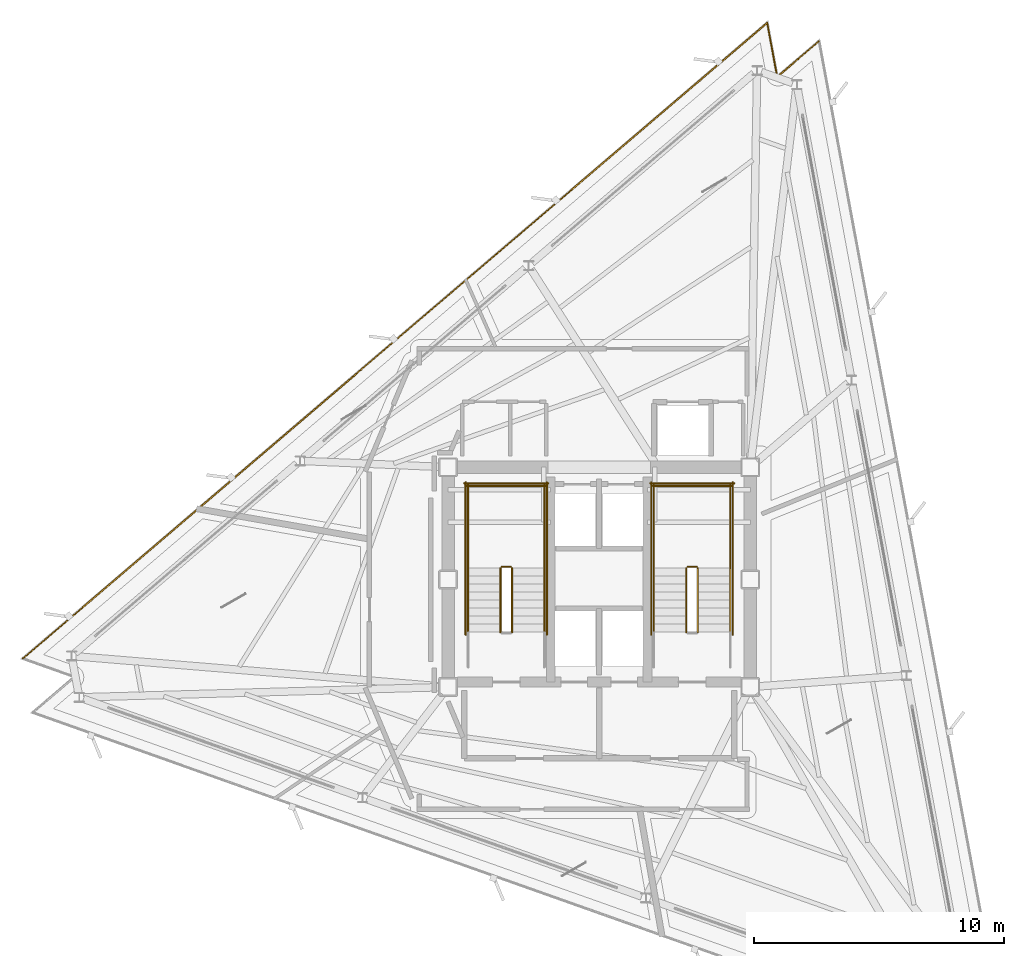
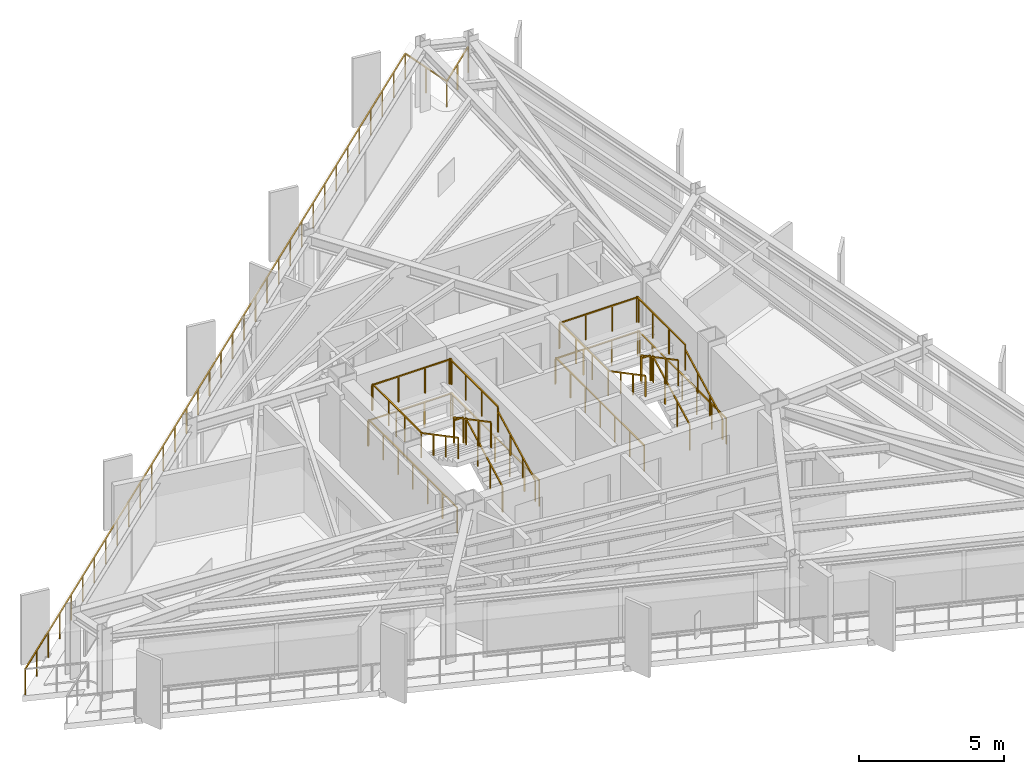
# One storey, part 13 of 14: 23 railings.
"""IFC4 building model written with IfcOpenShell, lengths in metres."""

import ifcopenshell
import ifcopenshell.guid

model = None  # the IFC model being written
_history = None  # IfcOwnerHistory: only IFC2X3 demands one
_inside = {}  # id of a spatial element -> (the spatial element, [elements in it])
_under = {}  # id of a project, library or spatial element -> (it, [spatial elements below it])
_declared = {}  # id of a project -> (the project, [libraries it declares])
_typed = {}  # id of a type object -> (the type object, [elements of that type])
_made_of = {}  # id of a material, layer set ... -> (it, [elements and type objects made of it])


def new_model(schema):
    """Start an empty IFC model of exactly this schema.

    Asked for "IFC4X3", IfcOpenShell would pick the latest addendum, in which some entities
    have other attributes; the version numbers below select the first issue.
    IFC2X3 requires an IfcOwnerHistory on every rooted entity: one is made here for all.
    """
    global model, _history
    if schema == "IFC4X3":
        model = ifcopenshell.file(schema_version=(4, 3, 0, 0))
    else:
        model = ifcopenshell.file(schema=schema)
    _inside.clear()
    _under.clear()
    _declared.clear()
    _typed.clear()
    _made_of.clear()
    _history = None
    if model.schema == "IFC2X3":
        org = make("IfcOrganization", Name="unknown")
        user = make(
            "IfcPersonAndOrganization",
            ThePerson=make("IfcPerson", FamilyName="unknown"),
            TheOrganization=org,
        )
        app = make(
            "IfcApplication",
            ApplicationDeveloper=org,
            Version="unknown",
            ApplicationFullName="unknown",
            ApplicationIdentifier="unknown",
        )
        _history = make(
            "IfcOwnerHistory",
            OwningUser=user,
            OwningApplication=app,
            ChangeAction="ADDED",
            CreationDate=0,
        )
    return model


def make(cls, **values):
    """One entity of the class cls with the attributes given. An attribute that is None is left unset."""
    return model.create_entity(
        cls, **{name: value for name, value in values.items() if value is not None}
    )


def rooted(cls, **values):
    """An entity with a GlobalId (a new one), such as an element, a storey or a relation."""
    return make(cls, GlobalId=ifcopenshell.guid.new(), OwnerHistory=_history, **values)


def si_unit(unit_type, name, prefix=None):
    """IfcSIUnit, for example si_unit("LENGTHUNIT", "METRE", prefix="MILLI")."""
    return make("IfcSIUnit", UnitType=unit_type, Prefix=prefix, Name=name)


def assignment(units):
    """IfcUnitAssignment: the units of a project."""
    return None if units is None else make("IfcUnitAssignment", Units=units)


def point(xyz):
    """IfcCartesianPoint."""
    return None if xyz is None else make("IfcCartesianPoint", Coordinates=xyz)


def direction(xyz):
    """IfcDirection."""
    return None if xyz is None else make("IfcDirection", DirectionRatios=xyz)


def frame(location, z_axis=None, x_axis=None):
    """IfcAxis2Placement3D, a coordinate frame: its origin and axes. An axis left out is left unset."""
    return make(
        "IfcAxis2Placement3D",
        Location=point(location),
        Axis=direction(z_axis),
        RefDirection=direction(x_axis),
    )


def frame_2d(location, x_axis=None):
    """IfcAxis2Placement2D, a coordinate frame in the plane: its origin and x axis."""
    return make(
        "IfcAxis2Placement2D", Location=point(location), RefDirection=direction(x_axis)
    )


def origin():
    """The frame at (0, 0, 0) with its axes left unset."""
    return frame((0.0, 0.0, 0.0))


def origin_2d():
    """The frame at (0, 0) in the plane with its x axis left unset."""
    return frame_2d((0.0, 0.0))


def place(relative_to, where):
    """IfcLocalPlacement: puts the frame where relative to a parent placement (None: the world)."""
    return make(
        "IfcLocalPlacement", PlacementRelTo=relative_to, RelativePlacement=where
    )


def context(
    kind, dimensions, precision=None, world=None, true_north=None, identifier=None
):
    """IfcGeometricRepresentationContext, for example the 3D "Model" context."""
    return make(
        "IfcGeometricRepresentationContext",
        ContextIdentifier=identifier,
        ContextType=kind,
        CoordinateSpaceDimension=dimensions,
        Precision=precision,
        WorldCoordinateSystem=world,
        TrueNorth=true_north,
    )


def subcontext(parent, identifier, kind, view, scale=None):
    """IfcGeometricRepresentationSubContext, for example "Body" below "Model"."""
    return make(
        "IfcGeometricRepresentationSubContext",
        ContextIdentifier=identifier,
        ContextType=kind,
        ParentContext=parent,
        TargetScale=scale,
        TargetView=view,
    )


def project(units=None, contexts=None):
    """IfcProject with its units and contexts."""
    return rooted(
        "IfcProject",
        Name="project",
        RepresentationContexts=contexts,
        UnitsInContext=assignment(units),
    )


def spatial(cls, under=None, at=None, **own):
    """A site, building, storey or space (cls), placed at a placement, below another one or the project."""
    s = rooted(cls, ObjectPlacement=at, **own)
    if under is not None:
        _under.setdefault(under.id(), (under, []))[1].append(s)
    return s


def profile(cls, at=None, kind="AREA", **sizes):
    """A parametric profile (cls). Its sizes go by their IFC names, for example OverallWidth=200.0."""
    return make(cls, ProfileType=kind, Position=at, **sizes)


def rectangle(**sizes):
    """IfcRectangleProfileDef."""
    return profile("IfcRectangleProfileDef", **sizes)


def extrude(swept, where, along, depth):
    """IfcExtrudedAreaSolid: the profile swept, set in the frame where, extruded along a direction by depth."""
    return make(
        "IfcExtrudedAreaSolid",
        SweptArea=swept,
        Position=where,
        ExtrudedDirection=direction(along),
        Depth=depth,
    )


def shape(context_of_items, identifier, shape_type, items):
    """IfcShapeRepresentation: the items that make up one representation, for example the "Body"."""
    return make(
        "IfcShapeRepresentation",
        ContextOfItems=context_of_items,
        RepresentationIdentifier=identifier,
        RepresentationType=shape_type,
        Items=items,
    )


def material(Name=None, Category=None):
    """IfcMaterial."""
    return make("IfcMaterial", Name=Name, Category=Category)


def layer(
    of_material, thickness, ventilated=None, Name=None, Category=None, Priority=None
):
    """IfcMaterialLayer: one layer of a wall or slab, of a material (None: an air gap)."""
    return make(
        "IfcMaterialLayer",
        Material=of_material,
        LayerThickness=thickness,
        IsVentilated=ventilated,
        Name=Name,
        Category=Category,
        Priority=Priority,
    )


def layer_set(layers, Name=None):
    """IfcMaterialLayerSet."""
    return make("IfcMaterialLayerSet", MaterialLayers=layers, LayerSetName=Name)


def made_of(thing, what):
    """Note that an element or type object is made of a material, layer set ...; save() writes the relation."""
    if what is not None:
        _made_of.setdefault(what.id(), (what, []))[1].append(thing)
    return thing


def type_object(cls, material=None, **own):
    """A type object (cls), such as IfcWallType, which elements share."""
    return made_of(rooted(cls, **own), material)


def element(
    cls,
    number,
    at=None,
    inside=None,
    cuts=None,
    type_object=None,
    material=None,
    context=None,
    identifier="Body",
    shape_type=None,
    held_by="IfcProductDefinitionShape",
    body=None,
    shapes=None,
    **own,
):
    """One element of the class cls, such as IfcWall. Its Tag is "e" and its number.

    at: its placement. inside: the storey or other place that contains it. cuts: it is an
    opening in that element (IfcRelVoidsElement). A single representation is given by context,
    identifier, shape_type and body (its items); several are given by shapes. held_by: the class
    of the entity that holds the representations. save() writes the other relations.
    """
    e = rooted(cls, Tag="e%d" % number, ObjectPlacement=at, **own)
    if body is not None:
        shapes = [shape(context, identifier, shape_type, body)]
    if shapes is not None:
        e.Representation = make(held_by, Representations=shapes)
    if inside is not None:
        _inside.setdefault(inside.id(), (inside, []))[1].append(e)
    if cuts is not None:
        rooted(
            "IfcRelVoidsElement", RelatingBuildingElement=cuts, RelatedOpeningElement=e
        )
    if type_object is not None:
        _typed.setdefault(type_object.id(), (type_object, []))[1].append(e)
    return made_of(e, material)


def aggregate(whole, parts):
    """IfcRelAggregates: a whole, such as a stair, and the parts it consists of."""
    return rooted("IfcRelAggregates", RelatingObject=whole, RelatedObjects=parts)


def save(model, path):
    """Write the relations noted so far, then the file.

    IfcRelAggregates (storeys below a building ...), IfcRelContainedInSpatialStructure (elements
    in a storey), IfcRelDefinesByType, IfcRelAssociatesMaterial and IfcRelDeclares: one each for
    every whole, place, type object, material and project.
    """
    for whole, parts in _under.values():
        aggregate(whole, parts)
    for where, things in _inside.values():
        rooted(
            "IfcRelContainedInSpatialStructure",
            RelatedElements=things,
            RelatingStructure=where,
        )
    for kind, things in _typed.values():
        rooted("IfcRelDefinesByType", RelatedObjects=things, RelatingType=kind)
    for what, things in _made_of.values():
        rooted("IfcRelAssociatesMaterial", RelatedObjects=things, RelatingMaterial=what)
    for by, libraries in _declared.values():
        rooted("IfcRelDeclares", RelatingContext=by, RelatedDefinitions=libraries)
    model.write(path)


model = new_model("IFC4")

# Units and contexts
model_context = context("Model", 3, precision=1e-05, world=origin(), true_north=direction((0.0, 1.0)))
body_context = subcontext(model_context, "Body", "Model", "MODEL_VIEW")
ifc_project = project(units=[si_unit("LENGTHUNIT", "METRE"), si_unit("AREAUNIT", "SQUARE_METRE"), si_unit("VOLUMEUNIT", "CUBIC_METRE"), si_unit("PLANEANGLEUNIT", "RADIAN"), si_unit("MASSUNIT", "GRAM", prefix="KILO")], contexts=[model_context])

# Site, building, storey
site_placement = place(None, origin())
site = spatial("IfcSite", under=ifc_project, at=site_placement, CompositionType="ELEMENT")
building_placement = place(site_placement, origin())
building = spatial("IfcBuilding", under=site, at=building_placement, Name="Rocaltana Carrier Exchange", CompositionType="ELEMENT")
storey_placement = place(building_placement, frame((0.0, 0.0, 187.52001953125)))
storey = spatial("IfcBuildingStorey", under=building, at=storey_placement, Name="L59", CompositionType="ELEMENT", Elevation=187.52001953125)

# Railings
ifc_material_1 = material(Name="Brushed Architectural Stainless Tube", Category="steel")
ifc_layer_1 = layer(ifc_material_1, 0.048095703125)
ifc_layer_set_1 = layer_set([ifc_layer_1], Name="Brushed Architectural Stainless Tube")
railing_type_1 = type_object("IfcRailingType", Name="Stair Wall Handrail 920", PredefinedType="HANDRAIL", material=ifc_layer_set_1)
railing_1_placement = place(storey_placement, frame((-2.18994140625, -2.10009765625, 0.1689453125)))
element("IfcRailing", 1, at=railing_1_placement, inside=storey, type_object=railing_type_1, Name="L59 ST-1 stair handrail 1", PredefinedType="HANDRAIL", context=body_context, shape_type="SweptSolid", body=[
    extrude(rectangle(XDim=0.048095703125, YDim=0.048095703125, at=origin_2d()), frame((0.0, 0.0, 0.8759765625), z_axis=(0.0, 0.884394423565, 0.466740295633), x_axis=(-1.0, 0.0, 0.0)), (0.0, 0.0, 1.0), 2.894775390625),
    extrude(rectangle(XDim=0.0419921875, YDim=0.0419921875, at=origin_2d()), origin(), (0.0, 0.0, 1.0), 0.851806640625),
    extrude(rectangle(XDim=0.0419921875, YDim=0.0419921875, at=origin_2d()), frame((0.0, 0.853271484375, 0.450439453125)), (0.0, 0.0, 1.0), 0.851806640625),
    extrude(rectangle(XDim=0.0419921875, YDim=0.0419921875, at=origin_2d()), frame((0.0, 1.706787109375, 0.900634765625)), (0.0, 0.0, 1.0), 0.851806640625),
    extrude(rectangle(XDim=0.0419921875, YDim=0.0419921875, at=origin_2d()), frame((0.0, 2.56005859375, 1.35107421875)), (0.0, 0.0, 1.0), 0.851806640625),
])
railing_2_placement = place(storey_placement, frame((-5.25, 0.4599609375, 1.68896484375)))
element("IfcRailing", 2, at=railing_2_placement, inside=storey, type_object=railing_type_1, Name="L59 ST-1 stair handrail 2", PredefinedType="HANDRAIL", context=body_context, shape_type="SweptSolid", body=[
    extrude(rectangle(XDim=0.048095703125, YDim=0.048095703125, at=origin_2d()), frame((0.0, 0.0, 0.8759765625), z_axis=(0.0, -0.884394423565, 0.466740295633), x_axis=(1.0, 0.0, 0.0)), (0.0, 0.0, 1.0), 2.894775390625),
    extrude(rectangle(XDim=0.0419921875, YDim=0.0419921875, at=origin_2d()), origin(), (0.0, 0.0, 1.0), 0.851806640625),
    extrude(rectangle(XDim=0.0419921875, YDim=0.0419921875, at=origin_2d()), frame((0.0, -0.853271484375, 0.450439453125)), (0.0, 0.0, 1.0), 0.851806640625),
    extrude(rectangle(XDim=0.0419921875, YDim=0.0419921875, at=origin_2d()), frame((0.0, -1.706787109375, 0.900634765625)), (0.0, 0.0, 1.0), 0.851806640625),
    extrude(rectangle(XDim=0.0419921875, YDim=0.0419921875, at=origin_2d()), frame((0.0, -2.56005859375, 1.35107421875)), (0.0, 0.0, 1.0), 0.851806640625),
])
railing_3_placement = place(storey_placement, frame((5.25, -2.10009765625, 0.1689453125)))
element("IfcRailing", 3, at=railing_3_placement, inside=storey, type_object=railing_type_1, Name="L59 ST-2 stair handrail 1", PredefinedType="HANDRAIL", context=body_context, shape_type="SweptSolid", body=[
    extrude(rectangle(XDim=0.048095703125, YDim=0.048095703125, at=origin_2d()), frame((0.0, 0.0, 0.8759765625), z_axis=(0.0, 0.884394423565, 0.466740295633), x_axis=(-1.0, 0.0, 0.0)), (0.0, 0.0, 1.0), 2.894775390625),
    extrude(rectangle(XDim=0.0419921875, YDim=0.0419921875, at=origin_2d()), origin(), (0.0, 0.0, 1.0), 0.851806640625),
    extrude(rectangle(XDim=0.0419921875, YDim=0.0419921875, at=origin_2d()), frame((0.0, 0.853271484375, 0.450439453125)), (0.0, 0.0, 1.0), 0.851806640625),
    extrude(rectangle(XDim=0.0419921875, YDim=0.0419921875, at=origin_2d()), frame((0.0, 1.706787109375, 0.900634765625)), (0.0, 0.0, 1.0), 0.851806640625),
    extrude(rectangle(XDim=0.0419921875, YDim=0.0419921875, at=origin_2d()), frame((0.0, 2.56005859375, 1.35107421875)), (0.0, 0.0, 1.0), 0.851806640625),
])
railing_4_placement = place(storey_placement, frame((2.18994140625, 0.4599609375, 1.68896484375)))
element("IfcRailing", 4, at=railing_4_placement, inside=storey, type_object=railing_type_1, Name="L59 ST-2 stair handrail 2", PredefinedType="HANDRAIL", context=body_context, shape_type="SweptSolid", body=[
    extrude(rectangle(XDim=0.048095703125, YDim=0.048095703125, at=origin_2d()), frame((0.0, 0.0, 0.8759765625), z_axis=(0.0, -0.884394423565, 0.466740295633), x_axis=(1.0, 0.0, 0.0)), (0.0, 0.0, 1.0), 2.894775390625),
    extrude(rectangle(XDim=0.0419921875, YDim=0.0419921875, at=origin_2d()), origin(), (0.0, 0.0, 1.0), 0.851806640625),
    extrude(rectangle(XDim=0.0419921875, YDim=0.0419921875, at=origin_2d()), frame((0.0, -0.853271484375, 0.450439453125)), (0.0, 0.0, 1.0), 0.851806640625),
    extrude(rectangle(XDim=0.0419921875, YDim=0.0419921875, at=origin_2d()), frame((0.0, -1.706787109375, 0.900634765625)), (0.0, 0.0, 1.0), 0.851806640625),
    extrude(rectangle(XDim=0.0419921875, YDim=0.0419921875, at=origin_2d()), frame((0.0, -2.56005859375, 1.35107421875)), (0.0, 0.0, 1.0), 0.851806640625),
])
ifc_material_2 = material(Name="Powder-Coated Aluminium 6063-T6", Category="aluminium")
ifc_layer_2 = layer(ifc_material_2, 0.048095703125)
ifc_layer_set_2 = layer_set([ifc_layer_2], Name="Powder-Coated Aluminium 6063-T6")
railing_type_2 = type_object("IfcRailingType", Name="Stair Well Guardrail 1100", PredefinedType="GUARDRAIL", material=ifc_layer_set_2)
railing_5_placement = place(storey_placement, frame((-3.489990234375, -2.10009765625, 0.1689453125)))
element("IfcRailing", 5, at=railing_5_placement, inside=storey, type_object=railing_type_2, Name="L59 ST-1 stair guard 1", PredefinedType="GUARDRAIL", context=body_context, shape_type="SweptSolid", body=[
    extrude(rectangle(XDim=0.048095703125, YDim=0.048095703125, at=origin_2d()), frame((0.0, 0.0, 1.076171875), z_axis=(0.0, 0.884394423565, 0.466740295633), x_axis=(-1.0, 0.0, 0.0)), (0.0, 0.0, 1.0), 2.894775390625),
    extrude(rectangle(XDim=0.0419921875, YDim=0.0419921875, at=origin_2d()), origin(), (0.0, 0.0, 1.0), 1.052001953125),
    extrude(rectangle(XDim=0.0419921875, YDim=0.0419921875, at=origin_2d()), frame((0.0, 0.853271484375, 0.450439453125)), (0.0, 0.0, 1.0), 1.052001953125),
    extrude(rectangle(XDim=0.0419921875, YDim=0.0419921875, at=origin_2d()), frame((0.0, 1.706787109375, 0.900634765625)), (0.0, 0.0, 1.0), 1.052001953125),
    extrude(rectangle(XDim=0.0419921875, YDim=0.0419921875, at=origin_2d()), frame((0.0, 2.56005859375, 1.35107421875)), (0.0, 0.0, 1.0), 1.052001953125),
])
railing_6_placement = place(storey_placement, frame((-3.5400390625, 0.510009765625, 1.52001953125)))
element("IfcRailing", 6, at=railing_6_placement, inside=storey, type_object=railing_type_2, Name="L59 ST-1 stair guard 2", PredefinedType="GUARDRAIL", context=body_context, shape_type="SweptSolid", body=[
    extrude(rectangle(XDim=0.048095703125, YDim=0.048095703125, at=origin_2d()), frame((0.0, 0.0, 1.076171875), z_axis=(-1.0, 0.0, 0.0), x_axis=(0.0, -1.0, 0.0)), (0.0, 0.0, 1.0), 0.35986328125),
    extrude(rectangle(XDim=0.0419921875, YDim=0.0419921875, at=origin_2d()), origin(), (0.0, 0.0, 1.0), 1.052001953125),
    extrude(rectangle(XDim=0.0419921875, YDim=0.0419921875, at=origin_2d()), frame((-0.35986328125, 0.0, 0.0)), (0.0, 0.0, 1.0), 1.052001953125),
])
for number, where, name in (
    (7, (-2.18994140625, 0.4599609375, 1.52001953125), "L59 ST-1 stair guard 3"),
    (8, (-5.25, 0.4599609375, 1.52001953125), "L59 ST-1 stair guard 4"),
):
    element("IfcRailing", number, at=place(storey_placement, frame(where)), inside=storey, type_object=railing_type_2, Name=name, PredefinedType="GUARDRAIL", context=body_context, shape_type="SweptSolid", body=[
        extrude(rectangle(XDim=0.048095703125, YDim=0.048095703125, at=origin_2d()), frame((0.0, 0.0, 1.076171875), z_axis=(0.0, 1.0, 0.0), x_axis=(-1.0, 0.0, 0.0)), (0.0, 0.0, 1.0), 3.340087890625),
        extrude(rectangle(XDim=0.0419921875, YDim=0.0419921875, at=origin_2d()), origin(), (0.0, 0.0, 1.0), 1.052001953125),
        extrude(rectangle(XDim=0.0419921875, YDim=0.0419921875, at=origin_2d()), frame((0.0, 1.11328125, 0.0)), (0.0, 0.0, 1.0), 1.052001953125),
        extrude(rectangle(XDim=0.0419921875, YDim=0.0419921875, at=origin_2d()), frame((0.0, 2.226806640625, 0.0)), (0.0, 0.0, 1.0), 1.052001953125),
        extrude(rectangle(XDim=0.0419921875, YDim=0.0419921875, at=origin_2d()), frame((0.0, 3.340087890625, 0.0)), (0.0, 0.0, 1.0), 1.052001953125),
    ])
railing_7_placement = place(storey_placement, frame((-2.139892578125, 3.75, 1.52001953125)))
element("IfcRailing", 9, at=railing_7_placement, inside=storey, type_object=railing_type_2, Name="L59 ST-1 stair guard 5", PredefinedType="GUARDRAIL", context=body_context, shape_type="SweptSolid", body=[
    extrude(rectangle(XDim=0.048095703125, YDim=0.048095703125, at=origin_2d()), frame((0.0, 0.0, 1.076171875), z_axis=(-1.0, 0.0, 0.0), x_axis=(0.0, -1.0, 0.0)), (0.0, 0.0, 1.0), 3.16015625),
    extrude(rectangle(XDim=0.0419921875, YDim=0.0419921875, at=origin_2d()), origin(), (0.0, 0.0, 1.0), 1.052001953125),
    extrude(rectangle(XDim=0.0419921875, YDim=0.0419921875, at=origin_2d()), frame((-1.053466796875, 0.0, 0.0)), (0.0, 0.0, 1.0), 1.052001953125),
    extrude(rectangle(XDim=0.0419921875, YDim=0.0419921875, at=origin_2d()), frame((-2.106689453125, 0.0, 0.0)), (0.0, 0.0, 1.0), 1.052001953125),
    extrude(rectangle(XDim=0.0419921875, YDim=0.0419921875, at=origin_2d()), frame((-3.16015625, 0.0, 0.0)), (0.0, 0.0, 1.0), 1.052001953125),
])
railing_8_placement = place(storey_placement, frame((-3.949951171875, 0.4599609375, 1.68896484375)))
element("IfcRailing", 10, at=railing_8_placement, inside=storey, type_object=railing_type_2, Name="L59 ST-1 stair guard 6", PredefinedType="GUARDRAIL", context=body_context, shape_type="SweptSolid", body=[
    extrude(rectangle(XDim=0.048095703125, YDim=0.048095703125, at=origin_2d()), frame((0.0, 0.0, 1.076171875), z_axis=(0.0, -0.884394423565, 0.466740295633), x_axis=(1.0, 0.0, 0.0)), (0.0, 0.0, 1.0), 2.894775390625),
    extrude(rectangle(XDim=0.0419921875, YDim=0.0419921875, at=origin_2d()), origin(), (0.0, 0.0, 1.0), 1.052001953125),
    extrude(rectangle(XDim=0.0419921875, YDim=0.0419921875, at=origin_2d()), frame((0.0, -0.853271484375, 0.450439453125)), (0.0, 0.0, 1.0), 1.052001953125),
    extrude(rectangle(XDim=0.0419921875, YDim=0.0419921875, at=origin_2d()), frame((0.0, -1.706787109375, 0.900634765625)), (0.0, 0.0, 1.0), 1.052001953125),
    extrude(rectangle(XDim=0.0419921875, YDim=0.0419921875, at=origin_2d()), frame((0.0, -2.56005859375, 1.35107421875)), (0.0, 0.0, 1.0), 1.052001953125),
])
for number, where, name in (
    (11, (-2.090087890625, -2.199951171875, 0.0), "L59 ST-1 stair guard 10"),
    (12, (-5.35009765625, -2.199951171875, 0.0), "L59 ST-1 stair guard 11"),
):
    element("IfcRailing", number, at=place(storey_placement, frame(where)), inside=storey, type_object=railing_type_2, Name=name, PredefinedType="GUARDRAIL", context=body_context, shape_type="SweptSolid", body=[
        extrude(rectangle(XDim=0.048095703125, YDim=0.048095703125, at=origin_2d()), frame((0.0, 0.0, 1.076171875), z_axis=(0.0, 1.0, 0.0), x_axis=(-1.0, 0.0, 0.0)), (0.0, 0.0, 1.0), 6.099853515625),
        extrude(rectangle(XDim=0.0419921875, YDim=0.0419921875, at=origin_2d()), origin(), (0.0, 0.0, 1.0), 1.052001953125),
        extrude(rectangle(XDim=0.0419921875, YDim=0.0419921875, at=origin_2d()), frame((0.0, 1.0166015625, 0.0)), (0.0, 0.0, 1.0), 1.052001953125),
        extrude(rectangle(XDim=0.0419921875, YDim=0.0419921875, at=origin_2d()), frame((0.0, 2.033203125, 0.0)), (0.0, 0.0, 1.0), 1.052001953125),
        extrude(rectangle(XDim=0.0419921875, YDim=0.0419921875, at=origin_2d()), frame((0.0, 3.0498046875, 0.0)), (0.0, 0.0, 1.0), 1.052001953125),
        extrude(rectangle(XDim=0.0419921875, YDim=0.0419921875, at=origin_2d()), frame((0.0, 4.066650390625, 0.0)), (0.0, 0.0, 1.0), 1.052001953125),
        extrude(rectangle(XDim=0.0419921875, YDim=0.0419921875, at=origin_2d()), frame((0.0, 5.083251953125, 0.0)), (0.0, 0.0, 1.0), 1.052001953125),
        extrude(rectangle(XDim=0.0419921875, YDim=0.0419921875, at=origin_2d()), frame((0.0, 6.099853515625, 0.0)), (0.0, 0.0, 1.0), 1.052001953125),
    ])
railing_9_placement = place(storey_placement, frame((-2.0400390625, 3.85009765625, 0.0)))
element("IfcRailing", 13, at=railing_9_placement, inside=storey, type_object=railing_type_2, Name="L59 ST-1 stair guard 12", PredefinedType="GUARDRAIL", context=body_context, shape_type="SweptSolid", body=[
    extrude(rectangle(XDim=0.048095703125, YDim=0.048095703125, at=origin_2d()), frame((0.0, 0.0, 1.076171875), z_axis=(-1.0, 0.0, 0.0), x_axis=(0.0, -1.0, 0.0)), (0.0, 0.0, 1.0), 3.35986328125),
    extrude(rectangle(XDim=0.0419921875, YDim=0.0419921875, at=origin_2d()), origin(), (0.0, 0.0, 1.0), 1.052001953125),
    extrude(rectangle(XDim=0.0419921875, YDim=0.0419921875, at=origin_2d()), frame((-1.119873046875, 0.0, 0.0)), (0.0, 0.0, 1.0), 1.052001953125),
    extrude(rectangle(XDim=0.0419921875, YDim=0.0419921875, at=origin_2d()), frame((-2.239990234375, 0.0, 0.0)), (0.0, 0.0, 1.0), 1.052001953125),
    extrude(rectangle(XDim=0.0419921875, YDim=0.0419921875, at=origin_2d()), frame((-3.35986328125, 0.0, 0.0)), (0.0, 0.0, 1.0), 1.052001953125),
])
railing_10_placement = place(storey_placement, frame((3.949951171875, -2.10009765625, 0.1689453125)))
element("IfcRailing", 14, at=railing_10_placement, inside=storey, type_object=railing_type_2, Name="L59 ST-2 stair guard 1", PredefinedType="GUARDRAIL", context=body_context, shape_type="SweptSolid", body=[
    extrude(rectangle(XDim=0.048095703125, YDim=0.048095703125, at=origin_2d()), frame((0.0, 0.0, 1.076171875), z_axis=(0.0, 0.884394423565, 0.466740295633), x_axis=(-1.0, 0.0, 0.0)), (0.0, 0.0, 1.0), 2.894775390625),
    extrude(rectangle(XDim=0.0419921875, YDim=0.0419921875, at=origin_2d()), origin(), (0.0, 0.0, 1.0), 1.052001953125),
    extrude(rectangle(XDim=0.0419921875, YDim=0.0419921875, at=origin_2d()), frame((0.0, 0.853271484375, 0.450439453125)), (0.0, 0.0, 1.0), 1.052001953125),
    extrude(rectangle(XDim=0.0419921875, YDim=0.0419921875, at=origin_2d()), frame((0.0, 1.706787109375, 0.900634765625)), (0.0, 0.0, 1.0), 1.052001953125),
    extrude(rectangle(XDim=0.0419921875, YDim=0.0419921875, at=origin_2d()), frame((0.0, 2.56005859375, 1.35107421875)), (0.0, 0.0, 1.0), 1.052001953125),
])
railing_11_placement = place(storey_placement, frame((3.89990234375, 0.510009765625, 1.52001953125)))
element("IfcRailing", 15, at=railing_11_placement, inside=storey, type_object=railing_type_2, Name="L59 ST-2 stair guard 2", PredefinedType="GUARDRAIL", context=body_context, shape_type="SweptSolid", body=[
    extrude(rectangle(XDim=0.048095703125, YDim=0.048095703125, at=origin_2d()), frame((0.0, 0.0, 1.076171875), z_axis=(-1.0, 0.0, 0.0), x_axis=(0.0, -1.0, 0.0)), (0.0, 0.0, 1.0), 0.35986328125),
    extrude(rectangle(XDim=0.0419921875, YDim=0.0419921875, at=origin_2d()), origin(), (0.0, 0.0, 1.0), 1.052001953125),
    extrude(rectangle(XDim=0.0419921875, YDim=0.0419921875, at=origin_2d()), frame((-0.35986328125, 0.0, 0.0)), (0.0, 0.0, 1.0), 1.052001953125),
])
for number, where, name in (
    (16, (5.25, 0.4599609375, 1.52001953125), "L59 ST-2 stair guard 3"),
    (17, (2.18994140625, 0.4599609375, 1.52001953125), "L59 ST-2 stair guard 4"),
):
    element("IfcRailing", number, at=place(storey_placement, frame(where)), inside=storey, type_object=railing_type_2, Name=name, PredefinedType="GUARDRAIL", context=body_context, shape_type="SweptSolid", body=[
        extrude(rectangle(XDim=0.048095703125, YDim=0.048095703125, at=origin_2d()), frame((0.0, 0.0, 1.076171875), z_axis=(0.0, 1.0, 0.0), x_axis=(-1.0, 0.0, 0.0)), (0.0, 0.0, 1.0), 3.340087890625),
        extrude(rectangle(XDim=0.0419921875, YDim=0.0419921875, at=origin_2d()), origin(), (0.0, 0.0, 1.0), 1.052001953125),
        extrude(rectangle(XDim=0.0419921875, YDim=0.0419921875, at=origin_2d()), frame((0.0, 1.11328125, 0.0)), (0.0, 0.0, 1.0), 1.052001953125),
        extrude(rectangle(XDim=0.0419921875, YDim=0.0419921875, at=origin_2d()), frame((0.0, 2.226806640625, 0.0)), (0.0, 0.0, 1.0), 1.052001953125),
        extrude(rectangle(XDim=0.0419921875, YDim=0.0419921875, at=origin_2d()), frame((0.0, 3.340087890625, 0.0)), (0.0, 0.0, 1.0), 1.052001953125),
    ])
railing_12_placement = place(storey_placement, frame((5.300048828125, 3.75, 1.52001953125)))
element("IfcRailing", 18, at=railing_12_placement, inside=storey, type_object=railing_type_2, Name="L59 ST-2 stair guard 5", PredefinedType="GUARDRAIL", context=body_context, shape_type="SweptSolid", body=[
    extrude(rectangle(XDim=0.048095703125, YDim=0.048095703125, at=origin_2d()), frame((0.0, 0.0, 1.076171875), z_axis=(-1.0, 0.0, 0.0), x_axis=(0.0, -1.0, 0.0)), (0.0, 0.0, 1.0), 3.16015625),
    extrude(rectangle(XDim=0.0419921875, YDim=0.0419921875, at=origin_2d()), origin(), (0.0, 0.0, 1.0), 1.052001953125),
    extrude(rectangle(XDim=0.0419921875, YDim=0.0419921875, at=origin_2d()), frame((-1.053466796875, 0.0, 0.0)), (0.0, 0.0, 1.0), 1.052001953125),
    extrude(rectangle(XDim=0.0419921875, YDim=0.0419921875, at=origin_2d()), frame((-2.106689453125, 0.0, 0.0)), (0.0, 0.0, 1.0), 1.052001953125),
    extrude(rectangle(XDim=0.0419921875, YDim=0.0419921875, at=origin_2d()), frame((-3.16015625, 0.0, 0.0)), (0.0, 0.0, 1.0), 1.052001953125),
])
railing_13_placement = place(storey_placement, frame((3.489990234375, 0.4599609375, 1.68896484375)))
element("IfcRailing", 19, at=railing_13_placement, inside=storey, type_object=railing_type_2, Name="L59 ST-2 stair guard 6", PredefinedType="GUARDRAIL", context=body_context, shape_type="SweptSolid", body=[
    extrude(rectangle(XDim=0.048095703125, YDim=0.048095703125, at=origin_2d()), frame((0.0, 0.0, 1.076171875), z_axis=(0.0, -0.884394423565, 0.466740295633), x_axis=(1.0, 0.0, 0.0)), (0.0, 0.0, 1.0), 2.894775390625),
    extrude(rectangle(XDim=0.0419921875, YDim=0.0419921875, at=origin_2d()), origin(), (0.0, 0.0, 1.0), 1.052001953125),
    extrude(rectangle(XDim=0.0419921875, YDim=0.0419921875, at=origin_2d()), frame((0.0, -0.853271484375, 0.450439453125)), (0.0, 0.0, 1.0), 1.052001953125),
    extrude(rectangle(XDim=0.0419921875, YDim=0.0419921875, at=origin_2d()), frame((0.0, -1.706787109375, 0.900634765625)), (0.0, 0.0, 1.0), 1.052001953125),
    extrude(rectangle(XDim=0.0419921875, YDim=0.0419921875, at=origin_2d()), frame((0.0, -2.56005859375, 1.35107421875)), (0.0, 0.0, 1.0), 1.052001953125),
])
for number, where, name in (
    (20, (5.35009765625, -2.199951171875, 0.0), "L59 ST-2 stair guard 10"),
    (21, (2.090087890625, -2.199951171875, 0.0), "L59 ST-2 stair guard 11"),
):
    element("IfcRailing", number, at=place(storey_placement, frame(where)), inside=storey, type_object=railing_type_2, Name=name, PredefinedType="GUARDRAIL", context=body_context, shape_type="SweptSolid", body=[
        extrude(rectangle(XDim=0.048095703125, YDim=0.048095703125, at=origin_2d()), frame((0.0, 0.0, 1.076171875), z_axis=(0.0, 1.0, 0.0), x_axis=(-1.0, 0.0, 0.0)), (0.0, 0.0, 1.0), 6.099853515625),
        extrude(rectangle(XDim=0.0419921875, YDim=0.0419921875, at=origin_2d()), origin(), (0.0, 0.0, 1.0), 1.052001953125),
        extrude(rectangle(XDim=0.0419921875, YDim=0.0419921875, at=origin_2d()), frame((0.0, 1.0166015625, 0.0)), (0.0, 0.0, 1.0), 1.052001953125),
        extrude(rectangle(XDim=0.0419921875, YDim=0.0419921875, at=origin_2d()), frame((0.0, 2.033203125, 0.0)), (0.0, 0.0, 1.0), 1.052001953125),
        extrude(rectangle(XDim=0.0419921875, YDim=0.0419921875, at=origin_2d()), frame((0.0, 3.0498046875, 0.0)), (0.0, 0.0, 1.0), 1.052001953125),
        extrude(rectangle(XDim=0.0419921875, YDim=0.0419921875, at=origin_2d()), frame((0.0, 4.066650390625, 0.0)), (0.0, 0.0, 1.0), 1.052001953125),
        extrude(rectangle(XDim=0.0419921875, YDim=0.0419921875, at=origin_2d()), frame((0.0, 5.083251953125, 0.0)), (0.0, 0.0, 1.0), 1.052001953125),
        extrude(rectangle(XDim=0.0419921875, YDim=0.0419921875, at=origin_2d()), frame((0.0, 6.099853515625, 0.0)), (0.0, 0.0, 1.0), 1.052001953125),
    ])
railing_14_placement = place(storey_placement, frame((5.39990234375, 3.85009765625, 0.0)))
element("IfcRailing", 22, at=railing_14_placement, inside=storey, type_object=railing_type_2, Name="L59 ST-2 stair guard 12", PredefinedType="GUARDRAIL", context=body_context, shape_type="SweptSolid", body=[
    extrude(rectangle(XDim=0.048095703125, YDim=0.048095703125, at=origin_2d()), frame((0.0, 0.0, 1.076171875), z_axis=(-1.0, 0.0, 0.0), x_axis=(0.0, -1.0, 0.0)), (0.0, 0.0, 1.0), 3.35986328125),
    extrude(rectangle(XDim=0.0419921875, YDim=0.0419921875, at=origin_2d()), origin(), (0.0, 0.0, 1.0), 1.052001953125),
    extrude(rectangle(XDim=0.0419921875, YDim=0.0419921875, at=origin_2d()), frame((-1.119873046875, 0.0, 0.0)), (0.0, 0.0, 1.0), 1.052001953125),
    extrude(rectangle(XDim=0.0419921875, YDim=0.0419921875, at=origin_2d()), frame((-2.239990234375, 0.0, 0.0)), (0.0, 0.0, 1.0), 1.052001953125),
    extrude(rectangle(XDim=0.0419921875, YDim=0.0419921875, at=origin_2d()), frame((-3.35986328125, 0.0, 0.0)), (0.0, 0.0, 1.0), 1.052001953125),
])
ifc_material_3 = material(Name="Powder-Coated Aluminium 6063-T6", Category="aluminium")
ifc_layer_3 = layer(ifc_material_3, 0.06005859375)
ifc_layer_set_3 = layer_set([ifc_layer_3], Name="Powder-Coated Aluminium 6063-T6")
railing_type_3 = type_object("IfcRailingType", Name="Wind-Floor & Terrace Perimeter Guardrail 1100", PredefinedType="GUARDRAIL", material=ifc_layer_set_3)
railing_15_placement = place(storey_placement, frame((-23.073486328125, -3.15771484375, 0.0)))
element("IfcRailing", 23, at=railing_15_placement, inside=storey, type_object=railing_type_3, Name="L59 Perimeter Balcony Guardrail 2", PredefinedType="GUARDRAIL", context=body_context, shape_type="SweptSolid", body=[
    extrude(rectangle(XDim=0.048095703125, YDim=0.048095703125, at=origin_2d()), frame((0.0, 0.0, 1.076171875), z_axis=(0.760402646587, 0.649451934375, 0.0), x_axis=(-0.649451934375, 0.760402646587, 0.0)), (0.0, 0.0, 1.0), 39.192138671875),
    extrude(rectangle(XDim=0.048095703125, YDim=0.048095703125, at=origin_2d()), frame((29.8017578125, 25.453369140625, 1.076171875), z_axis=(0.182204491792, -0.983260658814, 0.0), x_axis=(0.983260658814, 0.182204491792, 0.0)), (0.0, 0.0, 1.0), 2.2001953125),
    extrude(rectangle(XDim=0.048095703125, YDim=0.048095703125, at=origin_2d()), frame((30.20263671875, 23.2900390625, 1.076171875), z_axis=(0.760359977453, 0.649501889672, 0.0), x_axis=(-0.649501889672, 0.760359977453, 0.0)), (0.0, 0.0, 1.0), 2.2001953125),
    extrude(rectangle(XDim=0.0419921875, YDim=0.0419921875, at=origin_2d()), origin(), (0.0, 0.0, 1.0), 1.052001953125),
    extrude(rectangle(XDim=0.0419921875, YDim=0.0419921875, at=origin_2d()), frame((0.903076171875, 0.771240234375, 0.0)), (0.0, 0.0, 1.0), 1.052001953125),
    extrude(rectangle(XDim=0.0419921875, YDim=0.0419921875, at=origin_2d()), frame((1.80615234375, 1.542724609375, 0.0)), (0.0, 0.0, 1.0), 1.052001953125),
    extrude(rectangle(XDim=0.0419921875, YDim=0.0419921875, at=origin_2d()), frame((2.709228515625, 2.31396484375, 0.0)), (0.0, 0.0, 1.0), 1.052001953125),
    extrude(rectangle(XDim=0.0419921875, YDim=0.0419921875, at=origin_2d()), frame((3.6123046875, 3.085205078125, 0.0)), (0.0, 0.0, 1.0), 1.052001953125),
    extrude(rectangle(XDim=0.0419921875, YDim=0.0419921875, at=origin_2d()), frame((4.515380859375, 3.856689453125, 0.0)), (0.0, 0.0, 1.0), 1.052001953125),
    extrude(rectangle(XDim=0.0419921875, YDim=0.0419921875, at=origin_2d()), frame((5.41845703125, 4.6279296875, 0.0)), (0.0, 0.0, 1.0), 1.052001953125),
    extrude(rectangle(XDim=0.0419921875, YDim=0.0419921875, at=origin_2d()), frame((6.321533203125, 5.399169921875, 0.0)), (0.0, 0.0, 1.0), 1.052001953125),
    extrude(rectangle(XDim=0.0419921875, YDim=0.0419921875, at=origin_2d()), frame((7.224609375, 6.17041015625, 0.0)), (0.0, 0.0, 1.0), 1.052001953125),
    extrude(rectangle(XDim=0.0419921875, YDim=0.0419921875, at=origin_2d()), frame((8.127685546875, 6.94189453125, 0.0)), (0.0, 0.0, 1.0), 1.052001953125),
    extrude(rectangle(XDim=0.0419921875, YDim=0.0419921875, at=origin_2d()), frame((9.03076171875, 7.713134765625, 0.0)), (0.0, 0.0, 1.0), 1.052001953125),
    extrude(rectangle(XDim=0.0419921875, YDim=0.0419921875, at=origin_2d()), frame((9.933837890625, 8.484375, 0.0)), (0.0, 0.0, 1.0), 1.052001953125),
    extrude(rectangle(XDim=0.0419921875, YDim=0.0419921875, at=origin_2d()), frame((10.8369140625, 9.255859375, 0.0)), (0.0, 0.0, 1.0), 1.052001953125),
    extrude(rectangle(XDim=0.0419921875, YDim=0.0419921875, at=origin_2d()), frame((11.739990234375, 10.027099609375, 0.0)), (0.0, 0.0, 1.0), 1.052001953125),
    extrude(rectangle(XDim=0.0419921875, YDim=0.0419921875, at=origin_2d()), frame((12.64306640625, 10.79833984375, 0.0)), (0.0, 0.0, 1.0), 1.052001953125),
    extrude(rectangle(XDim=0.0419921875, YDim=0.0419921875, at=origin_2d()), frame((13.546142578125, 11.56982421875, 0.0)), (0.0, 0.0, 1.0), 1.052001953125),
    extrude(rectangle(XDim=0.0419921875, YDim=0.0419921875, at=origin_2d()), frame((14.44921875, 12.341064453125, 0.0)), (0.0, 0.0, 1.0), 1.052001953125),
    extrude(rectangle(XDim=0.0419921875, YDim=0.0419921875, at=origin_2d()), frame((15.3525390625, 13.1123046875, 0.0)), (0.0, 0.0, 1.0), 1.052001953125),
    extrude(rectangle(XDim=0.0419921875, YDim=0.0419921875, at=origin_2d()), frame((16.255615234375, 13.883544921875, 0.0)), (0.0, 0.0, 1.0), 1.052001953125),
    extrude(rectangle(XDim=0.0419921875, YDim=0.0419921875, at=origin_2d()), frame((17.15869140625, 14.655029296875, 0.0)), (0.0, 0.0, 1.0), 1.052001953125),
    extrude(rectangle(XDim=0.0419921875, YDim=0.0419921875, at=origin_2d()), frame((18.061767578125, 15.42626953125, 0.0)), (0.0, 0.0, 1.0), 1.052001953125),
    extrude(rectangle(XDim=0.0419921875, YDim=0.0419921875, at=origin_2d()), frame((18.96484375, 16.197509765625, 0.0)), (0.0, 0.0, 1.0), 1.052001953125),
    extrude(rectangle(XDim=0.0419921875, YDim=0.0419921875, at=origin_2d()), frame((19.867919921875, 16.968994140625, 0.0)), (0.0, 0.0, 1.0), 1.052001953125),
    extrude(rectangle(XDim=0.0419921875, YDim=0.0419921875, at=origin_2d()), frame((20.77099609375, 17.740234375, 0.0)), (0.0, 0.0, 1.0), 1.052001953125),
    extrude(rectangle(XDim=0.0419921875, YDim=0.0419921875, at=origin_2d()), frame((21.674072265625, 18.511474609375, 0.0)), (0.0, 0.0, 1.0), 1.052001953125),
    extrude(rectangle(XDim=0.0419921875, YDim=0.0419921875, at=origin_2d()), frame((22.5771484375, 19.282958984375, 0.0)), (0.0, 0.0, 1.0), 1.052001953125),
    extrude(rectangle(XDim=0.0419921875, YDim=0.0419921875, at=origin_2d()), frame((23.480224609375, 20.05419921875, 0.0)), (0.0, 0.0, 1.0), 1.052001953125),
    extrude(rectangle(XDim=0.0419921875, YDim=0.0419921875, at=origin_2d()), frame((24.38330078125, 20.825439453125, 0.0)), (0.0, 0.0, 1.0), 1.052001953125),
    extrude(rectangle(XDim=0.0419921875, YDim=0.0419921875, at=origin_2d()), frame((25.286376953125, 21.5966796875, 0.0)), (0.0, 0.0, 1.0), 1.052001953125),
    extrude(rectangle(XDim=0.0419921875, YDim=0.0419921875, at=origin_2d()), frame((26.189453125, 22.3681640625, 0.0)), (0.0, 0.0, 1.0), 1.052001953125),
    extrude(rectangle(XDim=0.0419921875, YDim=0.0419921875, at=origin_2d()), frame((27.092529296875, 23.139404296875, 0.0)), (0.0, 0.0, 1.0), 1.052001953125),
    extrude(rectangle(XDim=0.0419921875, YDim=0.0419921875, at=origin_2d()), frame((27.99560546875, 23.91064453125, 0.0)), (0.0, 0.0, 1.0), 1.052001953125),
    extrude(rectangle(XDim=0.0419921875, YDim=0.0419921875, at=origin_2d()), frame((28.898681640625, 24.68212890625, 0.0)), (0.0, 0.0, 1.0), 1.052001953125),
    extrude(rectangle(XDim=0.0419921875, YDim=0.0419921875, at=origin_2d()), frame((29.8017578125, 25.453369140625, 0.0)), (0.0, 0.0, 1.0), 1.052001953125),
    extrude(rectangle(XDim=0.0419921875, YDim=0.0419921875, at=origin_2d()), frame((30.002197265625, 24.37158203125, 0.0)), (0.0, 0.0, 1.0), 1.052001953125),
    extrude(rectangle(XDim=0.0419921875, YDim=0.0419921875, at=origin_2d()), frame((30.20263671875, 23.2900390625, 0.0)), (0.0, 0.0, 1.0), 1.052001953125),
    extrude(rectangle(XDim=0.0419921875, YDim=0.0419921875, at=origin_2d()), frame((31.0390625, 24.00439453125, 0.0)), (0.0, 0.0, 1.0), 1.052001953125),
    extrude(rectangle(XDim=0.0419921875, YDim=0.0419921875, at=origin_2d()), frame((31.87548828125, 24.718994140625, 0.0)), (0.0, 0.0, 1.0), 1.052001953125),
])

save(model, "model.ifc")
